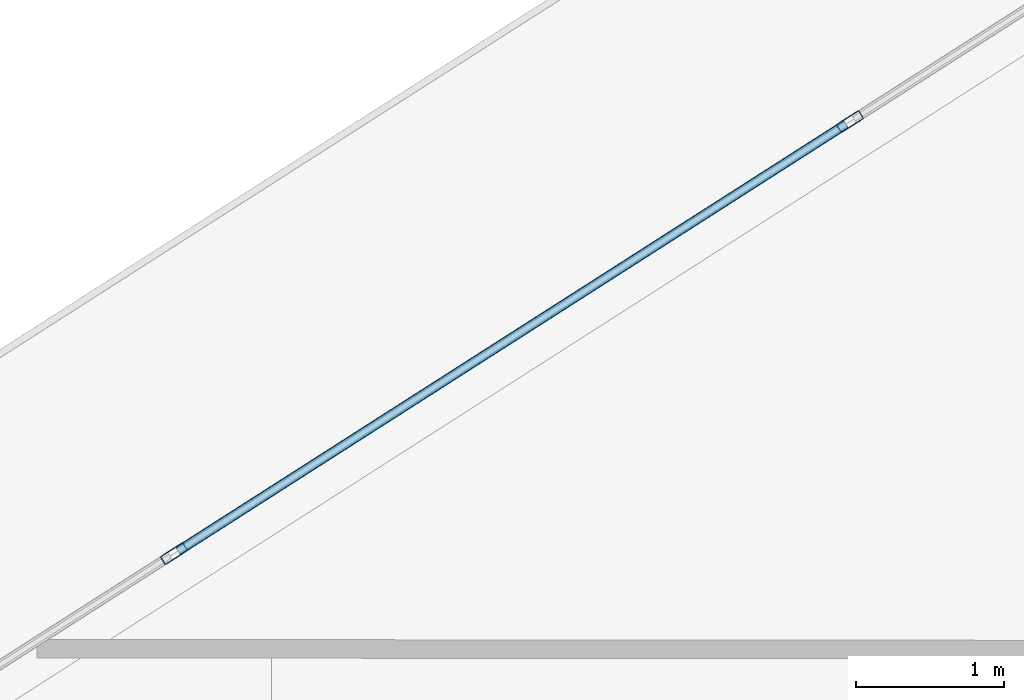
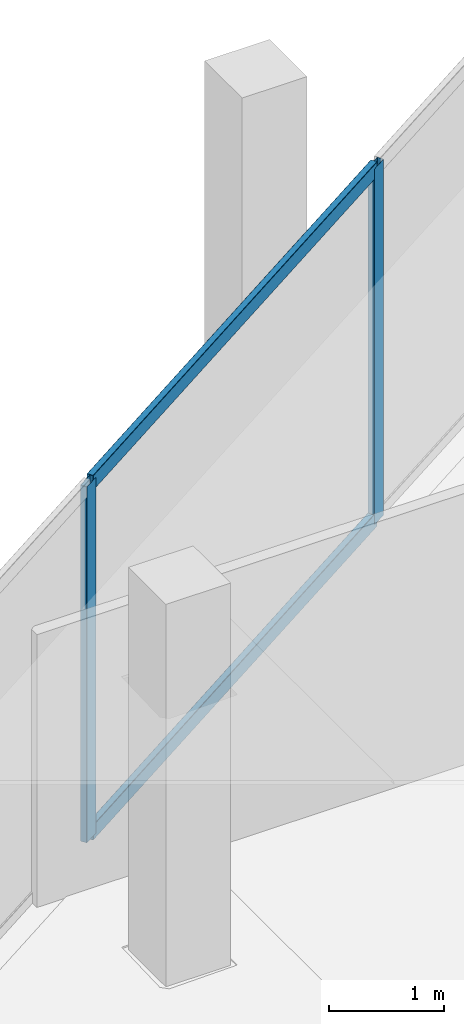
# One storey, part 16 of 45: 4 members, 1 element without a shape of its own.
"""IFC4 building model written with IfcOpenShell, lengths in metres."""

import ifcopenshell
import ifcopenshell.guid

model = None  # the IFC model being written
_history = None  # IfcOwnerHistory: only IFC2X3 demands one
_inside = {}  # id of a spatial element -> (the spatial element, [elements in it])
_under = {}  # id of a project, library or spatial element -> (it, [spatial elements below it])
_declared = {}  # id of a project -> (the project, [libraries it declares])
_typed = {}  # id of a type object -> (the type object, [elements of that type])
_made_of = {}  # id of a material, layer set ... -> (it, [elements and type objects made of it])


def new_model(schema):
    """Start an empty IFC model of exactly this schema.

    Asked for "IFC4X3", IfcOpenShell would pick the latest addendum, in which some entities
    have other attributes; the version numbers below select the first issue.
    IFC2X3 requires an IfcOwnerHistory on every rooted entity: one is made here for all.
    """
    global model, _history
    if schema == "IFC4X3":
        model = ifcopenshell.file(schema_version=(4, 3, 0, 0))
    else:
        model = ifcopenshell.file(schema=schema)
    _inside.clear()
    _under.clear()
    _declared.clear()
    _typed.clear()
    _made_of.clear()
    _history = None
    if model.schema == "IFC2X3":
        org = make("IfcOrganization", Name="unknown")
        user = make(
            "IfcPersonAndOrganization",
            ThePerson=make("IfcPerson", FamilyName="unknown"),
            TheOrganization=org,
        )
        app = make(
            "IfcApplication",
            ApplicationDeveloper=org,
            Version="unknown",
            ApplicationFullName="unknown",
            ApplicationIdentifier="unknown",
        )
        _history = make(
            "IfcOwnerHistory",
            OwningUser=user,
            OwningApplication=app,
            ChangeAction="ADDED",
            CreationDate=0,
        )
    return model


def make(cls, **values):
    """One entity of the class cls with the attributes given. An attribute that is None is left unset."""
    return model.create_entity(
        cls, **{name: value for name, value in values.items() if value is not None}
    )


def rooted(cls, **values):
    """An entity with a GlobalId (a new one), such as an element, a storey or a relation."""
    return make(cls, GlobalId=ifcopenshell.guid.new(), OwnerHistory=_history, **values)


def si_unit(unit_type, name, prefix=None):
    """IfcSIUnit, for example si_unit("LENGTHUNIT", "METRE", prefix="MILLI")."""
    return make("IfcSIUnit", UnitType=unit_type, Prefix=prefix, Name=name)


def assignment(units):
    """IfcUnitAssignment: the units of a project."""
    return None if units is None else make("IfcUnitAssignment", Units=units)


def point(xyz):
    """IfcCartesianPoint."""
    return None if xyz is None else make("IfcCartesianPoint", Coordinates=xyz)


def direction(xyz):
    """IfcDirection."""
    return None if xyz is None else make("IfcDirection", DirectionRatios=xyz)


def frame(location, z_axis=None, x_axis=None):
    """IfcAxis2Placement3D, a coordinate frame: its origin and axes. An axis left out is left unset."""
    return make(
        "IfcAxis2Placement3D",
        Location=point(location),
        Axis=direction(z_axis),
        RefDirection=direction(x_axis),
    )


def frame_2d(location, x_axis=None):
    """IfcAxis2Placement2D, a coordinate frame in the plane: its origin and x axis."""
    return make(
        "IfcAxis2Placement2D", Location=point(location), RefDirection=direction(x_axis)
    )


def origin():
    """The frame at (0, 0, 0) with its axes left unset."""
    return frame((0.0, 0.0, 0.0))


def origin_2d():
    """The frame at (0, 0) in the plane with its x axis left unset."""
    return frame_2d((0.0, 0.0))


def place(relative_to, where):
    """IfcLocalPlacement: puts the frame where relative to a parent placement (None: the world)."""
    return make(
        "IfcLocalPlacement", PlacementRelTo=relative_to, RelativePlacement=where
    )


def context(
    kind, dimensions, precision=None, world=None, true_north=None, identifier=None
):
    """IfcGeometricRepresentationContext, for example the 3D "Model" context."""
    return make(
        "IfcGeometricRepresentationContext",
        ContextIdentifier=identifier,
        ContextType=kind,
        CoordinateSpaceDimension=dimensions,
        Precision=precision,
        WorldCoordinateSystem=world,
        TrueNorth=true_north,
    )


def subcontext(parent, identifier, kind, view, scale=None):
    """IfcGeometricRepresentationSubContext, for example "Body" below "Model"."""
    return make(
        "IfcGeometricRepresentationSubContext",
        ContextIdentifier=identifier,
        ContextType=kind,
        ParentContext=parent,
        TargetScale=scale,
        TargetView=view,
    )


def project(units=None, contexts=None):
    """IfcProject with its units and contexts."""
    return rooted(
        "IfcProject",
        Name="project",
        RepresentationContexts=contexts,
        UnitsInContext=assignment(units),
    )


def spatial(cls, under=None, at=None, **own):
    """A site, building, storey or space (cls), placed at a placement, below another one or the project."""
    s = rooted(cls, ObjectPlacement=at, **own)
    if under is not None:
        _under.setdefault(under.id(), (under, []))[1].append(s)
    return s


def profile(cls, at=None, kind="AREA", **sizes):
    """A parametric profile (cls). Its sizes go by their IFC names, for example OverallWidth=200.0."""
    return make(cls, ProfileType=kind, Position=at, **sizes)


def hollow_rectangle(**sizes):
    """IfcRectangleHollowProfileDef."""
    return profile("IfcRectangleHollowProfileDef", **sizes)


def extrude(swept, where, along, depth):
    """IfcExtrudedAreaSolid: the profile swept, set in the frame where, extruded along a direction by depth."""
    return make(
        "IfcExtrudedAreaSolid",
        SweptArea=swept,
        Position=where,
        ExtrudedDirection=direction(along),
        Depth=depth,
    )


def shape(context_of_items, identifier, shape_type, items):
    """IfcShapeRepresentation: the items that make up one representation, for example the "Body"."""
    return make(
        "IfcShapeRepresentation",
        ContextOfItems=context_of_items,
        RepresentationIdentifier=identifier,
        RepresentationType=shape_type,
        Items=items,
    )


def material(Name=None, Category=None):
    """IfcMaterial."""
    return make("IfcMaterial", Name=Name, Category=Category)


def layer(
    of_material, thickness, ventilated=None, Name=None, Category=None, Priority=None
):
    """IfcMaterialLayer: one layer of a wall or slab, of a material (None: an air gap)."""
    return make(
        "IfcMaterialLayer",
        Material=of_material,
        LayerThickness=thickness,
        IsVentilated=ventilated,
        Name=Name,
        Category=Category,
        Priority=Priority,
    )


def layer_set(layers, Name=None):
    """IfcMaterialLayerSet."""
    return make("IfcMaterialLayerSet", MaterialLayers=layers, LayerSetName=Name)


def material_profile(
    of_material, cross_section, Name=None, Category=None, Priority=None
):
    """IfcMaterialProfile: a cross section and its material."""
    return make(
        "IfcMaterialProfile",
        Name=Name,
        Material=of_material,
        Profile=cross_section,
        Priority=Priority,
        Category=Category,
    )


def profile_set(profiles, Name=None, composite=None):
    """IfcMaterialProfileSet."""
    return make(
        "IfcMaterialProfileSet",
        Name=Name,
        MaterialProfiles=profiles,
        CompositeProfile=composite,
    )


def made_of(thing, what):
    """Note that an element or type object is made of a material, layer set ...; save() writes the relation."""
    if what is not None:
        _made_of.setdefault(what.id(), (what, []))[1].append(thing)
    return thing


def type_object(cls, material=None, **own):
    """A type object (cls), such as IfcWallType, which elements share."""
    return made_of(rooted(cls, **own), material)


def element(
    cls,
    number,
    at=None,
    inside=None,
    cuts=None,
    type_object=None,
    material=None,
    context=None,
    identifier="Body",
    shape_type=None,
    held_by="IfcProductDefinitionShape",
    body=None,
    shapes=None,
    **own,
):
    """One element of the class cls, such as IfcWall. Its Tag is "e" and its number.

    at: its placement. inside: the storey or other place that contains it. cuts: it is an
    opening in that element (IfcRelVoidsElement). A single representation is given by context,
    identifier, shape_type and body (its items); several are given by shapes. held_by: the class
    of the entity that holds the representations. save() writes the other relations.
    """
    e = rooted(cls, Tag="e%d" % number, ObjectPlacement=at, **own)
    if body is not None:
        shapes = [shape(context, identifier, shape_type, body)]
    if shapes is not None:
        e.Representation = make(held_by, Representations=shapes)
    if inside is not None:
        _inside.setdefault(inside.id(), (inside, []))[1].append(e)
    if cuts is not None:
        rooted(
            "IfcRelVoidsElement", RelatingBuildingElement=cuts, RelatedOpeningElement=e
        )
    if type_object is not None:
        _typed.setdefault(type_object.id(), (type_object, []))[1].append(e)
    return made_of(e, material)


def aggregate(whole, parts):
    """IfcRelAggregates: a whole, such as a stair, and the parts it consists of."""
    return rooted("IfcRelAggregates", RelatingObject=whole, RelatedObjects=parts)


def save(model, path):
    """Write the relations noted so far, then the file.

    IfcRelAggregates (storeys below a building ...), IfcRelContainedInSpatialStructure (elements
    in a storey), IfcRelDefinesByType, IfcRelAssociatesMaterial and IfcRelDeclares: one each for
    every whole, place, type object, material and project.
    """
    for whole, parts in _under.values():
        aggregate(whole, parts)
    for where, things in _inside.values():
        rooted(
            "IfcRelContainedInSpatialStructure",
            RelatedElements=things,
            RelatingStructure=where,
        )
    for kind, things in _typed.values():
        rooted("IfcRelDefinesByType", RelatedObjects=things, RelatingType=kind)
    for what, things in _made_of.values():
        rooted("IfcRelAssociatesMaterial", RelatedObjects=things, RelatingMaterial=what)
    for by, libraries in _declared.values():
        rooted("IfcRelDeclares", RelatingContext=by, RelatedDefinitions=libraries)
    model.write(path)


model = new_model("IFC4")

# Units and contexts
model_context = context("Model", 3, precision=1e-05, world=origin(), true_north=direction((0.0, 1.0)))
body_context = subcontext(model_context, "Body", "Model", "MODEL_VIEW")
ifc_project = project(units=[si_unit("LENGTHUNIT", "METRE"), si_unit("AREAUNIT", "SQUARE_METRE"), si_unit("VOLUMEUNIT", "CUBIC_METRE"), si_unit("PLANEANGLEUNIT", "RADIAN"), si_unit("MASSUNIT", "GRAM", prefix="KILO")], contexts=[model_context])

# Site, building, storey
site_placement = place(None, origin())
site = spatial("IfcSite", under=ifc_project, at=site_placement, CompositionType="ELEMENT")
building_placement = place(site_placement, origin())
building = spatial("IfcBuilding", under=site, at=building_placement, Name="Qorvath Tower", CompositionType="ELEMENT")
storey_placement = place(building_placement, frame((0.0, 0.0, 109.800048828125)))
storey = spatial("IfcBuildingStorey", under=building, at=storey_placement, Name="L24", CompositionType="ELEMENT", Elevation=109.800048828125)

# Curtain wall, members
ifc_material_1 = material(Name="Anodised aluminium and triple low-E glass", Category="aluminium")
ifc_layer = layer(ifc_material_1, 0.179931640625)
ifc_layer_set = layer_set([ifc_layer], Name="CW-SYS-2")
curtain_wall_type = type_object("IfcCurtainWallType", Name="CW-SYS-2", PredefinedType="NOTDEFINED", material=ifc_layer_set)
curtain_wall_placement = place(storey_placement, origin())
curtain_wall = element("IfcCurtainWall", 1, at=curtain_wall_placement, inside=storey, type_object=curtain_wall_type, Name="Curtain Wall CW-2 CW-T-L24-16.3", PredefinedType="NOTDEFINED")
ifc_material_2 = material(Name="Anodised aluminium 6063-T6", Category="aluminium")
ifc_material_profile_1 = material_profile(ifc_material_2, hollow_rectangle(XDim=0.06494140625, YDim=0.179931640625, WallThickness=0.00341796875, InnerFilletRadius=0.00341796875, OuterFilletRadius=0.007080078125, at=origin_2d()), Name="CWM 180x65")
ifc_profile_set_1 = profile_set([ifc_material_profile_1], Name="Anodised aluminium 6063-T6")
member_type_1 = type_object("IfcMemberType", Name="CWM-180", PredefinedType="MULLION", material=ifc_profile_set_1)
member_1_placement = place(storey_placement, frame((-39.94775390625, 15.54443359375, 0.0), z_axis=(0.0, 0.0, 1.0), x_axis=(0.538529946269, -0.84260637131, 0.0)))
member_1 = element("IfcMember", 2, at=member_1_placement, type_object=member_type_1, Name="CW-2 mullion 2", PredefinedType="MULLION", context=body_context, shape_type="SweptSolid", body=[
    extrude(hollow_rectangle(XDim=0.06494140625, YDim=0.179931640625, WallThickness=0.00341796875, InnerFilletRadius=0.00341796875, OuterFilletRadius=0.007080078125, at=origin_2d()), origin(), (0.0, 0.0, 1.0), 3.77001953125),
])
member_2_placement = place(storey_placement, frame((-44.50830078125, 12.629638671875, 0.0), z_axis=(0.0, 0.0, 1.0), x_axis=(0.538529946269, -0.84260637131, 0.0)))
member_2 = element("IfcMember", 3, at=member_2_placement, type_object=member_type_1, Name="CW-2 mullion 3", PredefinedType="MULLION", context=body_context, shape_type="SweptSolid", body=[
    extrude(hollow_rectangle(XDim=0.06494140625, YDim=0.179931640625, WallThickness=0.00341796875, InnerFilletRadius=0.00341796875, OuterFilletRadius=0.007080078125, at=origin_2d()), origin(), (0.0, 0.0, 1.0), 3.77001953125),
])
ifc_material_3 = material(Name="Anodised aluminium 6063-T6", Category="aluminium")
ifc_material_profile_2 = material_profile(ifc_material_3, hollow_rectangle(XDim=0.06494140625, YDim=0.159912109375, WallThickness=0.00341796875, InnerFilletRadius=0.00341796875, OuterFilletRadius=0.007080078125, at=origin_2d()), Name="CWT 160x65")
ifc_profile_set_2 = profile_set([ifc_material_profile_2], Name="Anodised aluminium 6063-T6")
member_type_2 = type_object("IfcMemberType", Name="CWT-160", PredefinedType="USERDEFINED", material=ifc_profile_set_2)
member_3_placement = place(storey_placement, frame((-39.97509765625, 15.52685546875, 0.032470703125), z_axis=(-0.842599583756, -0.538540566211, 0.0), x_axis=(0.538540566211, -0.842599583756, 0.0)))
member_3 = element("IfcMember", 4, at=member_3_placement, type_object=member_type_2, Name="CW-2 transom 2.1", ObjectType="TRANSOM", PredefinedType="USERDEFINED", context=body_context, shape_type="SweptSolid", body=[
    extrude(hollow_rectangle(XDim=0.06494140625, YDim=0.159912109375, WallThickness=0.00341796875, InnerFilletRadius=0.00341796875, OuterFilletRadius=0.007080078125, at=origin_2d()), origin(), (0.0, 0.0, 1.0), 5.34765625),
])
member_4_placement = place(storey_placement, frame((-39.97509765625, 15.52685546875, 3.737548828125), z_axis=(-0.842599583756, -0.538540566211, 0.0), x_axis=(0.538540566211, -0.842599583756, 0.0)))
member_4 = element("IfcMember", 5, at=member_4_placement, type_object=member_type_2, Name="CW-2 transom 2.2", ObjectType="TRANSOM", PredefinedType="USERDEFINED", context=body_context, shape_type="SweptSolid", body=[
    extrude(hollow_rectangle(XDim=0.06494140625, YDim=0.159912109375, WallThickness=0.00341796875, InnerFilletRadius=0.00341796875, OuterFilletRadius=0.007080078125, at=origin_2d()), origin(), (0.0, 0.0, 1.0), 5.34765625),
])
aggregate(curtain_wall, [member_1, member_2, member_3, member_4])

save(model, "model.ifc")
